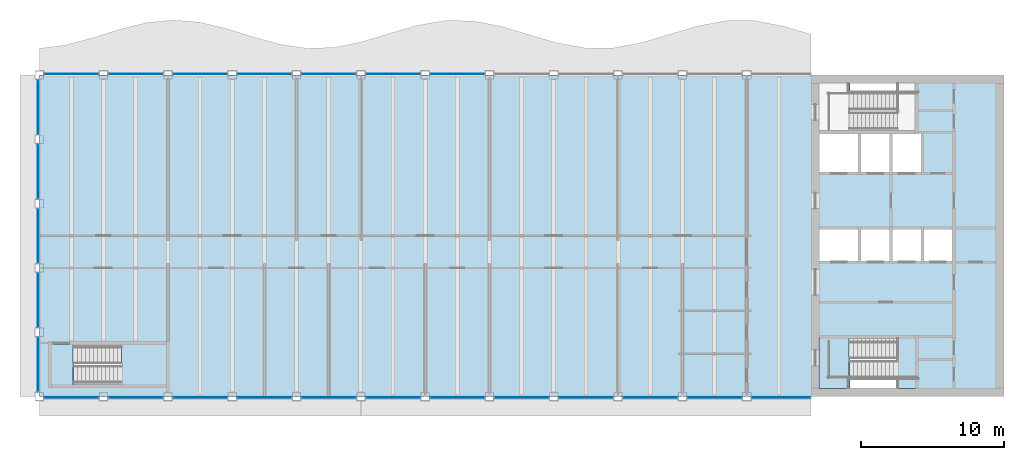
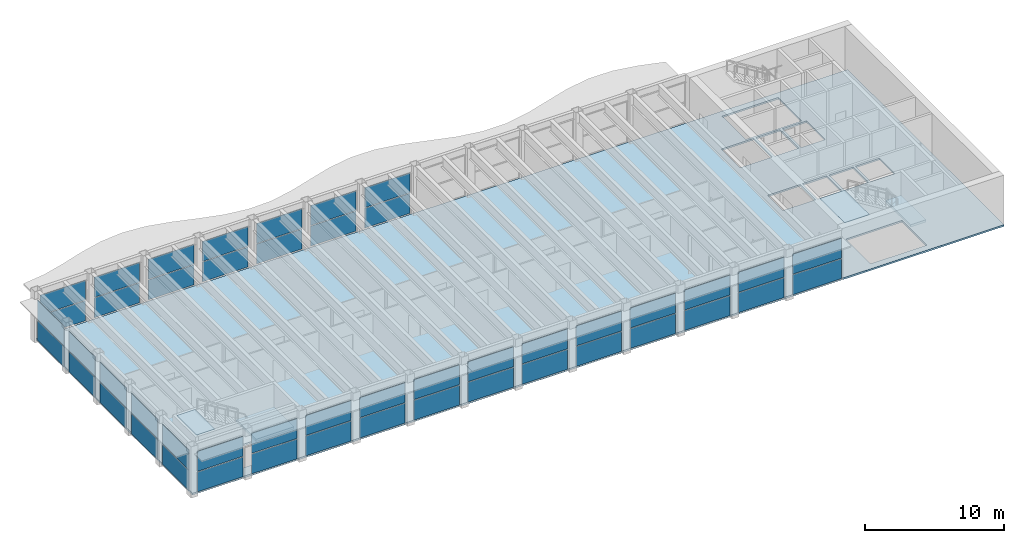
# One storey, part 7 of 14: 48 plates, 5 slabs, 26 elements without a shape of their own.
"""IFC4 building model written with IfcOpenShell, lengths in metres."""

from ifc_helpers import new_model, si_unit, direction, frame, origin, origin_2d, place, context, subcontext, project, spatial, polyline, rectangle, outline, extrude, material, layer, layer_set, type_object, element, aggregate, save


model = new_model("IFC4")

# Units and contexts
model_context = context("Model", 3, precision=1e-05, world=origin(), true_north=direction((0.0, 1.0)))
body_context = subcontext(model_context, "Body", "Model", "MODEL_VIEW")
ifc_project = project(units=[si_unit("LENGTHUNIT", "METRE"), si_unit("AREAUNIT", "SQUARE_METRE"), si_unit("VOLUMEUNIT", "CUBIC_METRE"), si_unit("PLANEANGLEUNIT", "RADIAN"), si_unit("MASSUNIT", "GRAM", prefix="KILO")], contexts=[model_context])

# Site, building, storey
site_placement = place(None, origin())
site = spatial("IfcSite", under=ifc_project, at=site_placement, CompositionType="ELEMENT")
building_placement = place(site_placement, origin())
building = spatial("IfcBuilding", under=site, at=building_placement, Name="Sennacour Bend Tower", CompositionType="ELEMENT")
storey_placement = place(building_placement, frame((0.0, 0.0, 327.5)))
storey = spatial("IfcBuildingStorey", under=building, at=storey_placement, Name="L75", CompositionType="ELEMENT", Elevation=327.5)

# Slab
ifc_material_1 = material(Name="Concrete C30/37", Category="concrete")
ifc_layer_1 = layer(ifc_material_1, 0.14990234375, Name="Concrete C30/37", Category="concrete")
ifc_layer_set_1 = layer_set([ifc_layer_1], Name="Concrete C30/37")
slab_type_1 = type_object("IfcSlabType", Name="Floor slab 150", PredefinedType="FLOOR", material=ifc_layer_set_1)
slab_1_placement = place(storey_placement, frame((0.0, 0.0, -0.14990234375)))
element("IfcSlab", 1, at=slab_1_placement, inside=storey, type_object=slab_type_1, Name="Floor slab L75-01", PredefinedType="FLOOR", context=body_context, shape_type="SweptSolid", body=[
    extrude(outline(polyline([(0.0, 22.5), (22.5, 22.5), (54.0, 22.5), (67.5, 22.5), (67.5, 0.0), (54.0, 0.0), (22.5, 0.0), (0.0, 0.0), (0.0, 22.5)]), holes=[polyline([(8.800048828125, 3.5), (2.429931640625, 3.5), (2.429931640625, 0.949951171875), (8.800048828125, 0.949951171875), (8.800048828125, 3.5)]), polyline([(61.39990234375, 4.125), (56.72998046875, 4.125), (56.72998046875, 0.550048828125), (61.39990234375, 0.550048828125), (61.39990234375, 4.125)]), polyline([(57.300048828125, 11.699951171875), (54.60009765625, 11.699951171875), (54.60009765625, 9.5), (57.300048828125, 9.5), (57.300048828125, 11.699951171875)]), polyline([(59.5, 9.5), (59.5, 11.699951171875), (57.5, 11.699951171875), (57.5, 9.5), (59.5, 9.5)]), polyline([(61.699951171875, 9.5), (61.699951171875, 11.699951171875), (59.699951171875, 11.699951171875), (59.699951171875, 9.5), (61.699951171875, 9.5)]), polyline([(63.89990234375, 11.699951171875), (61.89990234375, 11.699951171875), (61.89990234375, 9.5), (63.89990234375, 9.5), (63.89990234375, 11.699951171875)]), polyline([(57.300048828125, 18.39990234375), (54.60009765625, 18.39990234375), (54.60009765625, 15.699951171875), (57.300048828125, 15.699951171875), (57.300048828125, 18.39990234375)]), polyline([(59.5, 18.39990234375), (57.5, 18.39990234375), (57.5, 15.699951171875), (59.5, 15.699951171875), (59.5, 18.39990234375)]), polyline([(61.699951171875, 15.699951171875), (61.699951171875, 18.39990234375), (59.699951171875, 18.39990234375), (59.699951171875, 15.699951171875), (61.699951171875, 15.699951171875)]), polyline([(61.39990234375, 18.574951171875), (61.39990234375, 21.949951171875), (56.72998046875, 21.949951171875), (56.72998046875, 18.574951171875), (61.39990234375, 18.574951171875)])]), origin(), (0.0, 0.0, 1.0), 0.14990234375),
])

# Curtain wall, plates
ifc_material_2 = material(Name="Bronze anodised aluminium curtain wall with clear glass", Category="aluminium")
curtain_wall_type = type_object("IfcCurtainWallType", Name="CURTAIN WALL EXEC", PredefinedType="NOTDEFINED", material=ifc_material_2)
curtain_wall_1_placement = place(storey_placement, origin())
curtain_wall_1 = element("IfcCurtainWall", 2, at=curtain_wall_1_placement, inside=storey, type_object=curtain_wall_type, Name="Executive floor glass wall L75", PredefinedType="NOTDEFINED")
ifc_material_3 = material(Name="Clear low-emissivity glass", Category="glass")
ifc_layer_2 = layer(ifc_material_3, 0.031982421875, Name="Clear low-emissivity glass", Category="glass")
ifc_layer_set_2 = layer_set([ifc_layer_2], Name="Clear low-emissivity glass")
plate_type = type_object("IfcPlateType", Name="PNL-GLASS-IGU32", PredefinedType="CURTAIN_PANEL", material=ifc_layer_set_2)
plate_1_placement = place(storey_placement, frame((2.25, -0.074951171875, 0.06005859375), z_axis=(0.0, 0.0, 1.0), x_axis=(1.0, 0.0, 0.0)))
plate_1 = element("IfcPlate", 3, at=plate_1_placement, type_object=plate_type, Name="GW3 curtain wall panel 1.1", PredefinedType="CURTAIN_PANEL", context=body_context, shape_type="SweptSolid", body=[
    extrude(rectangle(XDim=3.780029296875, YDim=0.031982421875, at=origin_2d()), origin(), (0.0, 0.0, 1.0), 1.74609375),
])
plate_2_placement = place(storey_placement, frame((2.25, -0.074951171875, 1.865966796875), z_axis=(0.0, 0.0, 1.0), x_axis=(1.0, 0.0, 0.0)))
plate_2 = element("IfcPlate", 4, at=plate_2_placement, type_object=plate_type, Name="GW3 curtain wall panel 1.2", PredefinedType="CURTAIN_PANEL", context=body_context, shape_type="SweptSolid", body=[
    extrude(rectangle(XDim=3.780029296875, YDim=0.031982421875, at=origin_2d()), origin(), (0.0, 0.0, 1.0), 1.74609375),
])
aggregate(curtain_wall_1, [plate_1, plate_2])

curtain_wall_2_placement = place(storey_placement, origin())
curtain_wall_2 = element("IfcCurtainWall", 5, at=curtain_wall_2_placement, inside=storey, type_object=curtain_wall_type, Name="Executive floor glass wall L75", PredefinedType="NOTDEFINED")
plate_3_placement = place(storey_placement, frame((6.75, -0.074951171875, 0.06005859375), z_axis=(0.0, 0.0, 1.0), x_axis=(1.0, 0.0, 0.0)))
plate_3 = element("IfcPlate", 6, at=plate_3_placement, type_object=plate_type, Name="GW3 curtain wall panel 1.1", PredefinedType="CURTAIN_PANEL", context=body_context, shape_type="SweptSolid", body=[
    extrude(rectangle(XDim=3.780029296875, YDim=0.031982421875, at=origin_2d()), origin(), (0.0, 0.0, 1.0), 1.74609375),
])
plate_4_placement = place(storey_placement, frame((6.75, -0.074951171875, 1.865966796875), z_axis=(0.0, 0.0, 1.0), x_axis=(1.0, 0.0, 0.0)))
plate_4 = element("IfcPlate", 7, at=plate_4_placement, type_object=plate_type, Name="GW3 curtain wall panel 1.2", PredefinedType="CURTAIN_PANEL", context=body_context, shape_type="SweptSolid", body=[
    extrude(rectangle(XDim=3.780029296875, YDim=0.031982421875, at=origin_2d()), origin(), (0.0, 0.0, 1.0), 1.74609375),
])
aggregate(curtain_wall_2, [plate_3, plate_4])

curtain_wall_3_placement = place(storey_placement, origin())
curtain_wall_3 = element("IfcCurtainWall", 8, at=curtain_wall_3_placement, inside=storey, type_object=curtain_wall_type, Name="Executive floor glass wall L75", PredefinedType="NOTDEFINED")
plate_5_placement = place(storey_placement, frame((11.25, -0.074951171875, 0.06005859375), z_axis=(0.0, 0.0, 1.0), x_axis=(1.0, 0.0, 0.0)))
plate_5 = element("IfcPlate", 9, at=plate_5_placement, type_object=plate_type, Name="GW3 curtain wall panel 1.1", PredefinedType="CURTAIN_PANEL", context=body_context, shape_type="SweptSolid", body=[
    extrude(rectangle(XDim=3.780029296875, YDim=0.031982421875, at=origin_2d()), origin(), (0.0, 0.0, 1.0), 1.74609375),
])
plate_6_placement = place(storey_placement, frame((11.25, -0.074951171875, 1.865966796875), z_axis=(0.0, 0.0, 1.0), x_axis=(1.0, 0.0, 0.0)))
plate_6 = element("IfcPlate", 10, at=plate_6_placement, type_object=plate_type, Name="GW3 curtain wall panel 1.2", PredefinedType="CURTAIN_PANEL", context=body_context, shape_type="SweptSolid", body=[
    extrude(rectangle(XDim=3.780029296875, YDim=0.031982421875, at=origin_2d()), origin(), (0.0, 0.0, 1.0), 1.74609375),
])
aggregate(curtain_wall_3, [plate_5, plate_6])

curtain_wall_4_placement = place(storey_placement, origin())
curtain_wall_4 = element("IfcCurtainWall", 11, at=curtain_wall_4_placement, inside=storey, type_object=curtain_wall_type, Name="Executive floor glass wall L75", PredefinedType="NOTDEFINED")
plate_7_placement = place(storey_placement, frame((15.75, -0.074951171875, 0.06005859375), z_axis=(0.0, 0.0, 1.0), x_axis=(1.0, 0.0, 0.0)))
plate_7 = element("IfcPlate", 12, at=plate_7_placement, type_object=plate_type, Name="GW3 curtain wall panel 1.1", PredefinedType="CURTAIN_PANEL", context=body_context, shape_type="SweptSolid", body=[
    extrude(rectangle(XDim=3.780029296875, YDim=0.031982421875, at=origin_2d()), origin(), (0.0, 0.0, 1.0), 1.74609375),
])
plate_8_placement = place(storey_placement, frame((15.75, -0.074951171875, 1.865966796875), z_axis=(0.0, 0.0, 1.0), x_axis=(1.0, 0.0, 0.0)))
plate_8 = element("IfcPlate", 13, at=plate_8_placement, type_object=plate_type, Name="GW3 curtain wall panel 1.2", PredefinedType="CURTAIN_PANEL", context=body_context, shape_type="SweptSolid", body=[
    extrude(rectangle(XDim=3.780029296875, YDim=0.031982421875, at=origin_2d()), origin(), (0.0, 0.0, 1.0), 1.74609375),
])
aggregate(curtain_wall_4, [plate_7, plate_8])

curtain_wall_5_placement = place(storey_placement, origin())
curtain_wall_5 = element("IfcCurtainWall", 14, at=curtain_wall_5_placement, inside=storey, type_object=curtain_wall_type, Name="Executive floor glass wall L75", PredefinedType="NOTDEFINED")
plate_9_placement = place(storey_placement, frame((20.25, -0.074951171875, 0.06005859375), z_axis=(0.0, 0.0, 1.0), x_axis=(1.0, 0.0, 0.0)))
plate_9 = element("IfcPlate", 15, at=plate_9_placement, type_object=plate_type, Name="GW3 curtain wall panel 1.1", PredefinedType="CURTAIN_PANEL", context=body_context, shape_type="SweptSolid", body=[
    extrude(rectangle(XDim=3.780029296875, YDim=0.031982421875, at=origin_2d()), origin(), (0.0, 0.0, 1.0), 1.74609375),
])
plate_10_placement = place(storey_placement, frame((20.25, -0.074951171875, 1.865966796875), z_axis=(0.0, 0.0, 1.0), x_axis=(1.0, 0.0, 0.0)))
plate_10 = element("IfcPlate", 16, at=plate_10_placement, type_object=plate_type, Name="GW3 curtain wall panel 1.2", PredefinedType="CURTAIN_PANEL", context=body_context, shape_type="SweptSolid", body=[
    extrude(rectangle(XDim=3.780029296875, YDim=0.031982421875, at=origin_2d()), origin(), (0.0, 0.0, 1.0), 1.74609375),
])
aggregate(curtain_wall_5, [plate_9, plate_10])

curtain_wall_6_placement = place(storey_placement, origin())
curtain_wall_6 = element("IfcCurtainWall", 17, at=curtain_wall_6_placement, inside=storey, type_object=curtain_wall_type, Name="Executive floor glass wall L75", PredefinedType="NOTDEFINED")
plate_11_placement = place(storey_placement, frame((24.75, -0.074951171875, 0.06005859375), z_axis=(0.0, 0.0, 1.0), x_axis=(1.0, 0.0, 0.0)))
plate_11 = element("IfcPlate", 18, at=plate_11_placement, type_object=plate_type, Name="GW3 curtain wall panel 1.1", PredefinedType="CURTAIN_PANEL", context=body_context, shape_type="SweptSolid", body=[
    extrude(rectangle(XDim=3.780029296875, YDim=0.031982421875, at=origin_2d()), origin(), (0.0, 0.0, 1.0), 1.74609375),
])
plate_12_placement = place(storey_placement, frame((24.75, -0.074951171875, 1.865966796875), z_axis=(0.0, 0.0, 1.0), x_axis=(1.0, 0.0, 0.0)))
plate_12 = element("IfcPlate", 19, at=plate_12_placement, type_object=plate_type, Name="GW3 curtain wall panel 1.2", PredefinedType="CURTAIN_PANEL", context=body_context, shape_type="SweptSolid", body=[
    extrude(rectangle(XDim=3.780029296875, YDim=0.031982421875, at=origin_2d()), origin(), (0.0, 0.0, 1.0), 1.74609375),
])
aggregate(curtain_wall_6, [plate_11, plate_12])

curtain_wall_7_placement = place(storey_placement, origin())
curtain_wall_7 = element("IfcCurtainWall", 20, at=curtain_wall_7_placement, inside=storey, type_object=curtain_wall_type, Name="Executive floor glass wall L75", PredefinedType="NOTDEFINED")
plate_13_placement = place(storey_placement, frame((29.25, -0.074951171875, 0.06005859375), z_axis=(0.0, 0.0, 1.0), x_axis=(1.0, 0.0, 0.0)))
plate_13 = element("IfcPlate", 21, at=plate_13_placement, type_object=plate_type, Name="GW3 curtain wall panel 1.1", PredefinedType="CURTAIN_PANEL", context=body_context, shape_type="SweptSolid", body=[
    extrude(rectangle(XDim=3.780029296875, YDim=0.031982421875, at=origin_2d()), origin(), (0.0, 0.0, 1.0), 1.74609375),
])
plate_14_placement = place(storey_placement, frame((29.25, -0.074951171875, 1.865966796875), z_axis=(0.0, 0.0, 1.0), x_axis=(1.0, 0.0, 0.0)))
plate_14 = element("IfcPlate", 22, at=plate_14_placement, type_object=plate_type, Name="GW3 curtain wall panel 1.2", PredefinedType="CURTAIN_PANEL", context=body_context, shape_type="SweptSolid", body=[
    extrude(rectangle(XDim=3.780029296875, YDim=0.031982421875, at=origin_2d()), origin(), (0.0, 0.0, 1.0), 1.74609375),
])
aggregate(curtain_wall_7, [plate_13, plate_14])

curtain_wall_8_placement = place(storey_placement, origin())
curtain_wall_8 = element("IfcCurtainWall", 23, at=curtain_wall_8_placement, inside=storey, type_object=curtain_wall_type, Name="Executive floor glass wall L75", PredefinedType="NOTDEFINED")
plate_15_placement = place(storey_placement, frame((33.75, -0.074951171875, 0.06005859375), z_axis=(0.0, 0.0, 1.0), x_axis=(1.0, 0.0, 0.0)))
plate_15 = element("IfcPlate", 24, at=plate_15_placement, type_object=plate_type, Name="GW3 curtain wall panel 1.1", PredefinedType="CURTAIN_PANEL", context=body_context, shape_type="SweptSolid", body=[
    extrude(rectangle(XDim=3.780029296875, YDim=0.031982421875, at=origin_2d()), origin(), (0.0, 0.0, 1.0), 1.74609375),
])
plate_16_placement = place(storey_placement, frame((33.75, -0.074951171875, 1.865966796875), z_axis=(0.0, 0.0, 1.0), x_axis=(1.0, 0.0, 0.0)))
plate_16 = element("IfcPlate", 25, at=plate_16_placement, type_object=plate_type, Name="GW3 curtain wall panel 1.2", PredefinedType="CURTAIN_PANEL", context=body_context, shape_type="SweptSolid", body=[
    extrude(rectangle(XDim=3.780029296875, YDim=0.031982421875, at=origin_2d()), origin(), (0.0, 0.0, 1.0), 1.74609375),
])
aggregate(curtain_wall_8, [plate_15, plate_16])

curtain_wall_9_placement = place(storey_placement, origin())
curtain_wall_9 = element("IfcCurtainWall", 26, at=curtain_wall_9_placement, inside=storey, type_object=curtain_wall_type, Name="Executive floor glass wall L75", PredefinedType="NOTDEFINED")
plate_17_placement = place(storey_placement, frame((38.25, -0.074951171875, 0.06005859375), z_axis=(0.0, 0.0, 1.0), x_axis=(1.0, 0.0, 0.0)))
plate_17 = element("IfcPlate", 27, at=plate_17_placement, type_object=plate_type, Name="GW3 curtain wall panel 1.1", PredefinedType="CURTAIN_PANEL", context=body_context, shape_type="SweptSolid", body=[
    extrude(rectangle(XDim=3.780029296875, YDim=0.031982421875, at=origin_2d()), origin(), (0.0, 0.0, 1.0), 1.74609375),
])
plate_18_placement = place(storey_placement, frame((38.25, -0.074951171875, 1.865966796875), z_axis=(0.0, 0.0, 1.0), x_axis=(1.0, 0.0, 0.0)))
plate_18 = element("IfcPlate", 28, at=plate_18_placement, type_object=plate_type, Name="GW3 curtain wall panel 1.2", PredefinedType="CURTAIN_PANEL", context=body_context, shape_type="SweptSolid", body=[
    extrude(rectangle(XDim=3.780029296875, YDim=0.031982421875, at=origin_2d()), origin(), (0.0, 0.0, 1.0), 1.74609375),
])
aggregate(curtain_wall_9, [plate_17, plate_18])

curtain_wall_10_placement = place(storey_placement, origin())
curtain_wall_10 = element("IfcCurtainWall", 29, at=curtain_wall_10_placement, inside=storey, type_object=curtain_wall_type, Name="Executive floor glass wall L75", PredefinedType="NOTDEFINED")
plate_19_placement = place(storey_placement, frame((42.75, -0.074951171875, 0.06005859375), z_axis=(0.0, 0.0, 1.0), x_axis=(1.0, 0.0, 0.0)))
plate_19 = element("IfcPlate", 30, at=plate_19_placement, type_object=plate_type, Name="GW3 curtain wall panel 1.1", PredefinedType="CURTAIN_PANEL", context=body_context, shape_type="SweptSolid", body=[
    extrude(rectangle(XDim=3.780029296875, YDim=0.031982421875, at=origin_2d()), origin(), (0.0, 0.0, 1.0), 1.74609375),
])
plate_20_placement = place(storey_placement, frame((42.75, -0.074951171875, 1.865966796875), z_axis=(0.0, 0.0, 1.0), x_axis=(1.0, 0.0, 0.0)))
plate_20 = element("IfcPlate", 31, at=plate_20_placement, type_object=plate_type, Name="GW3 curtain wall panel 1.2", PredefinedType="CURTAIN_PANEL", context=body_context, shape_type="SweptSolid", body=[
    extrude(rectangle(XDim=3.780029296875, YDim=0.031982421875, at=origin_2d()), origin(), (0.0, 0.0, 1.0), 1.74609375),
])
aggregate(curtain_wall_10, [plate_19, plate_20])

curtain_wall_11_placement = place(storey_placement, origin())
curtain_wall_11 = element("IfcCurtainWall", 32, at=curtain_wall_11_placement, inside=storey, type_object=curtain_wall_type, Name="Executive floor glass wall L75", PredefinedType="NOTDEFINED")
plate_21_placement = place(storey_placement, frame((47.25, -0.074951171875, 0.06005859375), z_axis=(0.0, 0.0, 1.0), x_axis=(1.0, 0.0, 0.0)))
plate_21 = element("IfcPlate", 33, at=plate_21_placement, type_object=plate_type, Name="GW3 curtain wall panel 1.1", PredefinedType="CURTAIN_PANEL", context=body_context, shape_type="SweptSolid", body=[
    extrude(rectangle(XDim=3.780029296875, YDim=0.031982421875, at=origin_2d()), origin(), (0.0, 0.0, 1.0), 1.74609375),
])
plate_22_placement = place(storey_placement, frame((47.25, -0.074951171875, 1.865966796875), z_axis=(0.0, 0.0, 1.0), x_axis=(1.0, 0.0, 0.0)))
plate_22 = element("IfcPlate", 34, at=plate_22_placement, type_object=plate_type, Name="GW3 curtain wall panel 1.2", PredefinedType="CURTAIN_PANEL", context=body_context, shape_type="SweptSolid", body=[
    extrude(rectangle(XDim=3.780029296875, YDim=0.031982421875, at=origin_2d()), origin(), (0.0, 0.0, 1.0), 1.74609375),
])
aggregate(curtain_wall_11, [plate_21, plate_22])

curtain_wall_12_placement = place(storey_placement, origin())
curtain_wall_12 = element("IfcCurtainWall", 35, at=curtain_wall_12_placement, inside=storey, type_object=curtain_wall_type, Name="Executive floor glass wall L75", PredefinedType="NOTDEFINED")
plate_23_placement = place(storey_placement, frame((51.89990234375, -0.074951171875, 0.06005859375), z_axis=(0.0, 0.0, 1.0), x_axis=(1.0, 0.0, 0.0)))
plate_23 = element("IfcPlate", 36, at=plate_23_placement, type_object=plate_type, Name="GW3 curtain wall panel 1.1", PredefinedType="CURTAIN_PANEL", context=body_context, shape_type="SweptSolid", body=[
    extrude(rectangle(XDim=4.080078125, YDim=0.031982421875, at=origin_2d()), origin(), (0.0, 0.0, 1.0), 1.74609375),
])
plate_24_placement = place(storey_placement, frame((51.89990234375, -0.074951171875, 1.865966796875), z_axis=(0.0, 0.0, 1.0), x_axis=(1.0, 0.0, 0.0)))
plate_24 = element("IfcPlate", 37, at=plate_24_placement, type_object=plate_type, Name="GW3 curtain wall panel 1.2", PredefinedType="CURTAIN_PANEL", context=body_context, shape_type="SweptSolid", body=[
    extrude(rectangle(XDim=4.080078125, YDim=0.031982421875, at=origin_2d()), origin(), (0.0, 0.0, 1.0), 1.74609375),
])
aggregate(curtain_wall_12, [plate_23, plate_24])

curtain_wall_13_placement = place(storey_placement, origin())
curtain_wall_13 = element("IfcCurtainWall", 38, at=curtain_wall_13_placement, inside=storey, type_object=curtain_wall_type, Name="Executive floor glass wall L75", PredefinedType="NOTDEFINED")
plate_25_placement = place(storey_placement, frame((29.25, 22.574951171875, 0.06005859375), z_axis=(0.0, 0.0, 1.0), x_axis=(-1.0, 0.0, 0.0)))
plate_25 = element("IfcPlate", 39, at=plate_25_placement, type_object=plate_type, Name="GW3 curtain wall panel 1.1", PredefinedType="CURTAIN_PANEL", context=body_context, shape_type="SweptSolid", body=[
    extrude(rectangle(XDim=3.780029296875, YDim=0.031982421875, at=origin_2d()), origin(), (0.0, 0.0, 1.0), 1.74609375),
])
plate_26_placement = place(storey_placement, frame((29.25, 22.574951171875, 1.865966796875), z_axis=(0.0, 0.0, 1.0), x_axis=(-1.0, 0.0, 0.0)))
plate_26 = element("IfcPlate", 40, at=plate_26_placement, type_object=plate_type, Name="GW3 curtain wall panel 1.2", PredefinedType="CURTAIN_PANEL", context=body_context, shape_type="SweptSolid", body=[
    extrude(rectangle(XDim=3.780029296875, YDim=0.031982421875, at=origin_2d()), origin(), (0.0, 0.0, 1.0), 1.74609375),
])
aggregate(curtain_wall_13, [plate_25, plate_26])

curtain_wall_14_placement = place(storey_placement, origin())
curtain_wall_14 = element("IfcCurtainWall", 41, at=curtain_wall_14_placement, inside=storey, type_object=curtain_wall_type, Name="Executive floor glass wall L75", PredefinedType="NOTDEFINED")
plate_27_placement = place(storey_placement, frame((24.75, 22.574951171875, 0.06005859375), z_axis=(0.0, 0.0, 1.0), x_axis=(-1.0, 0.0, 0.0)))
plate_27 = element("IfcPlate", 42, at=plate_27_placement, type_object=plate_type, Name="GW3 curtain wall panel 1.1", PredefinedType="CURTAIN_PANEL", context=body_context, shape_type="SweptSolid", body=[
    extrude(rectangle(XDim=3.780029296875, YDim=0.031982421875, at=origin_2d()), origin(), (0.0, 0.0, 1.0), 1.74609375),
])
plate_28_placement = place(storey_placement, frame((24.75, 22.574951171875, 1.865966796875), z_axis=(0.0, 0.0, 1.0), x_axis=(-1.0, 0.0, 0.0)))
plate_28 = element("IfcPlate", 43, at=plate_28_placement, type_object=plate_type, Name="GW3 curtain wall panel 1.2", PredefinedType="CURTAIN_PANEL", context=body_context, shape_type="SweptSolid", body=[
    extrude(rectangle(XDim=3.780029296875, YDim=0.031982421875, at=origin_2d()), origin(), (0.0, 0.0, 1.0), 1.74609375),
])
aggregate(curtain_wall_14, [plate_27, plate_28])

curtain_wall_15_placement = place(storey_placement, origin())
curtain_wall_15 = element("IfcCurtainWall", 44, at=curtain_wall_15_placement, inside=storey, type_object=curtain_wall_type, Name="Executive floor glass wall L75", PredefinedType="NOTDEFINED")
plate_29_placement = place(storey_placement, frame((20.25, 22.574951171875, 0.06005859375), z_axis=(0.0, 0.0, 1.0), x_axis=(-1.0, 0.0, 0.0)))
plate_29 = element("IfcPlate", 45, at=plate_29_placement, type_object=plate_type, Name="GW3 curtain wall panel 1.1", PredefinedType="CURTAIN_PANEL", context=body_context, shape_type="SweptSolid", body=[
    extrude(rectangle(XDim=3.780029296875, YDim=0.031982421875, at=origin_2d()), origin(), (0.0, 0.0, 1.0), 1.74609375),
])
plate_30_placement = place(storey_placement, frame((20.25, 22.574951171875, 1.865966796875), z_axis=(0.0, 0.0, 1.0), x_axis=(-1.0, 0.0, 0.0)))
plate_30 = element("IfcPlate", 46, at=plate_30_placement, type_object=plate_type, Name="GW3 curtain wall panel 1.2", PredefinedType="CURTAIN_PANEL", context=body_context, shape_type="SweptSolid", body=[
    extrude(rectangle(XDim=3.780029296875, YDim=0.031982421875, at=origin_2d()), origin(), (0.0, 0.0, 1.0), 1.74609375),
])
aggregate(curtain_wall_15, [plate_29, plate_30])

curtain_wall_16_placement = place(storey_placement, origin())
curtain_wall_16 = element("IfcCurtainWall", 47, at=curtain_wall_16_placement, inside=storey, type_object=curtain_wall_type, Name="Executive floor glass wall L75", PredefinedType="NOTDEFINED")
plate_31_placement = place(storey_placement, frame((15.75, 22.574951171875, 0.06005859375), z_axis=(0.0, 0.0, 1.0), x_axis=(-1.0, 0.0, 0.0)))
plate_31 = element("IfcPlate", 48, at=plate_31_placement, type_object=plate_type, Name="GW3 curtain wall panel 1.1", PredefinedType="CURTAIN_PANEL", context=body_context, shape_type="SweptSolid", body=[
    extrude(rectangle(XDim=3.780029296875, YDim=0.031982421875, at=origin_2d()), origin(), (0.0, 0.0, 1.0), 1.74609375),
])
plate_32_placement = place(storey_placement, frame((15.75, 22.574951171875, 1.865966796875), z_axis=(0.0, 0.0, 1.0), x_axis=(-1.0, 0.0, 0.0)))
plate_32 = element("IfcPlate", 49, at=plate_32_placement, type_object=plate_type, Name="GW3 curtain wall panel 1.2", PredefinedType="CURTAIN_PANEL", context=body_context, shape_type="SweptSolid", body=[
    extrude(rectangle(XDim=3.780029296875, YDim=0.031982421875, at=origin_2d()), origin(), (0.0, 0.0, 1.0), 1.74609375),
])
aggregate(curtain_wall_16, [plate_31, plate_32])

curtain_wall_17_placement = place(storey_placement, origin())
curtain_wall_17 = element("IfcCurtainWall", 50, at=curtain_wall_17_placement, inside=storey, type_object=curtain_wall_type, Name="Executive floor glass wall L75", PredefinedType="NOTDEFINED")
plate_33_placement = place(storey_placement, frame((11.25, 22.574951171875, 0.06005859375), z_axis=(0.0, 0.0, 1.0), x_axis=(-1.0, 0.0, 0.0)))
plate_33 = element("IfcPlate", 51, at=plate_33_placement, type_object=plate_type, Name="GW3 curtain wall panel 1.1", PredefinedType="CURTAIN_PANEL", context=body_context, shape_type="SweptSolid", body=[
    extrude(rectangle(XDim=3.780029296875, YDim=0.031982421875, at=origin_2d()), origin(), (0.0, 0.0, 1.0), 1.74609375),
])
plate_34_placement = place(storey_placement, frame((11.25, 22.574951171875, 1.865966796875), z_axis=(0.0, 0.0, 1.0), x_axis=(-1.0, 0.0, 0.0)))
plate_34 = element("IfcPlate", 52, at=plate_34_placement, type_object=plate_type, Name="GW3 curtain wall panel 1.2", PredefinedType="CURTAIN_PANEL", context=body_context, shape_type="SweptSolid", body=[
    extrude(rectangle(XDim=3.780029296875, YDim=0.031982421875, at=origin_2d()), origin(), (0.0, 0.0, 1.0), 1.74609375),
])
aggregate(curtain_wall_17, [plate_33, plate_34])

curtain_wall_18_placement = place(storey_placement, origin())
curtain_wall_18 = element("IfcCurtainWall", 53, at=curtain_wall_18_placement, inside=storey, type_object=curtain_wall_type, Name="Executive floor glass wall L75", PredefinedType="NOTDEFINED")
plate_35_placement = place(storey_placement, frame((6.75, 22.574951171875, 0.06005859375), z_axis=(0.0, 0.0, 1.0), x_axis=(-1.0, 0.0, 0.0)))
plate_35 = element("IfcPlate", 54, at=plate_35_placement, type_object=plate_type, Name="GW3 curtain wall panel 1.1", PredefinedType="CURTAIN_PANEL", context=body_context, shape_type="SweptSolid", body=[
    extrude(rectangle(XDim=3.780029296875, YDim=0.031982421875, at=origin_2d()), origin(), (0.0, 0.0, 1.0), 1.74609375),
])
plate_36_placement = place(storey_placement, frame((6.75, 22.574951171875, 1.865966796875), z_axis=(0.0, 0.0, 1.0), x_axis=(-1.0, 0.0, 0.0)))
plate_36 = element("IfcPlate", 55, at=plate_36_placement, type_object=plate_type, Name="GW3 curtain wall panel 1.2", PredefinedType="CURTAIN_PANEL", context=body_context, shape_type="SweptSolid", body=[
    extrude(rectangle(XDim=3.780029296875, YDim=0.031982421875, at=origin_2d()), origin(), (0.0, 0.0, 1.0), 1.74609375),
])
aggregate(curtain_wall_18, [plate_35, plate_36])

curtain_wall_19_placement = place(storey_placement, origin())
curtain_wall_19 = element("IfcCurtainWall", 56, at=curtain_wall_19_placement, inside=storey, type_object=curtain_wall_type, Name="Executive floor glass wall L75", PredefinedType="NOTDEFINED")
plate_37_placement = place(storey_placement, frame((2.25, 22.574951171875, 0.06005859375), z_axis=(0.0, 0.0, 1.0), x_axis=(-1.0, 0.0, 0.0)))
plate_37 = element("IfcPlate", 57, at=plate_37_placement, type_object=plate_type, Name="GW3 curtain wall panel 1.1", PredefinedType="CURTAIN_PANEL", context=body_context, shape_type="SweptSolid", body=[
    extrude(rectangle(XDim=3.780029296875, YDim=0.031982421875, at=origin_2d()), origin(), (0.0, 0.0, 1.0), 1.74609375),
])
plate_38_placement = place(storey_placement, frame((2.25, 22.574951171875, 1.865966796875), z_axis=(0.0, 0.0, 1.0), x_axis=(-1.0, 0.0, 0.0)))
plate_38 = element("IfcPlate", 58, at=plate_38_placement, type_object=plate_type, Name="GW3 curtain wall panel 1.2", PredefinedType="CURTAIN_PANEL", context=body_context, shape_type="SweptSolid", body=[
    extrude(rectangle(XDim=3.780029296875, YDim=0.031982421875, at=origin_2d()), origin(), (0.0, 0.0, 1.0), 1.74609375),
])
aggregate(curtain_wall_19, [plate_37, plate_38])

curtain_wall_20_placement = place(storey_placement, origin())
curtain_wall_20 = element("IfcCurtainWall", 59, at=curtain_wall_20_placement, inside=storey, type_object=curtain_wall_type, Name="Executive floor glass wall L75", PredefinedType="NOTDEFINED")
plate_39_placement = place(storey_placement, frame((-0.074951171875, 20.25, 0.06005859375), z_axis=(0.0, 0.0, 1.0), x_axis=(0.0, -1.0, 0.0)))
plate_39 = element("IfcPlate", 60, at=plate_39_placement, type_object=plate_type, Name="GW3 curtain wall panel 1.1", PredefinedType="CURTAIN_PANEL", context=body_context, shape_type="SweptSolid", body=[
    extrude(rectangle(XDim=3.780029296875, YDim=0.031982421875, at=origin_2d()), origin(), (0.0, 0.0, 1.0), 1.74609375),
])
plate_40_placement = place(storey_placement, frame((-0.074951171875, 20.25, 1.865966796875), z_axis=(0.0, 0.0, 1.0), x_axis=(0.0, -1.0, 0.0)))
plate_40 = element("IfcPlate", 61, at=plate_40_placement, type_object=plate_type, Name="GW3 curtain wall panel 1.2", PredefinedType="CURTAIN_PANEL", context=body_context, shape_type="SweptSolid", body=[
    extrude(rectangle(XDim=3.780029296875, YDim=0.031982421875, at=origin_2d()), origin(), (0.0, 0.0, 1.0), 1.74609375),
])
aggregate(curtain_wall_20, [plate_39, plate_40])

curtain_wall_21_placement = place(storey_placement, origin())
curtain_wall_21 = element("IfcCurtainWall", 62, at=curtain_wall_21_placement, inside=storey, type_object=curtain_wall_type, Name="Executive floor glass wall L75", PredefinedType="NOTDEFINED")
plate_41_placement = place(storey_placement, frame((-0.074951171875, 15.75, 0.06005859375), z_axis=(0.0, 0.0, 1.0), x_axis=(0.0, -1.0, 0.0)))
plate_41 = element("IfcPlate", 63, at=plate_41_placement, type_object=plate_type, Name="GW3 curtain wall panel 1.1", PredefinedType="CURTAIN_PANEL", context=body_context, shape_type="SweptSolid", body=[
    extrude(rectangle(XDim=3.780029296875, YDim=0.031982421875, at=origin_2d()), origin(), (0.0, 0.0, 1.0), 1.74609375),
])
plate_42_placement = place(storey_placement, frame((-0.074951171875, 15.75, 1.865966796875), z_axis=(0.0, 0.0, 1.0), x_axis=(0.0, -1.0, 0.0)))
plate_42 = element("IfcPlate", 64, at=plate_42_placement, type_object=plate_type, Name="GW3 curtain wall panel 1.2", PredefinedType="CURTAIN_PANEL", context=body_context, shape_type="SweptSolid", body=[
    extrude(rectangle(XDim=3.780029296875, YDim=0.031982421875, at=origin_2d()), origin(), (0.0, 0.0, 1.0), 1.74609375),
])
aggregate(curtain_wall_21, [plate_41, plate_42])

curtain_wall_22_placement = place(storey_placement, origin())
curtain_wall_22 = element("IfcCurtainWall", 65, at=curtain_wall_22_placement, inside=storey, type_object=curtain_wall_type, Name="Executive floor glass wall L75", PredefinedType="NOTDEFINED")
plate_43_placement = place(storey_placement, frame((-0.074951171875, 11.25, 0.06005859375), z_axis=(0.0, 0.0, 1.0), x_axis=(0.0, -1.0, 0.0)))
plate_43 = element("IfcPlate", 66, at=plate_43_placement, type_object=plate_type, Name="GW3 curtain wall panel 1.1", PredefinedType="CURTAIN_PANEL", context=body_context, shape_type="SweptSolid", body=[
    extrude(rectangle(XDim=3.780029296875, YDim=0.031982421875, at=origin_2d()), origin(), (0.0, 0.0, 1.0), 1.74609375),
])
plate_44_placement = place(storey_placement, frame((-0.074951171875, 11.25, 1.865966796875), z_axis=(0.0, 0.0, 1.0), x_axis=(0.0, -1.0, 0.0)))
plate_44 = element("IfcPlate", 67, at=plate_44_placement, type_object=plate_type, Name="GW3 curtain wall panel 1.2", PredefinedType="CURTAIN_PANEL", context=body_context, shape_type="SweptSolid", body=[
    extrude(rectangle(XDim=3.780029296875, YDim=0.031982421875, at=origin_2d()), origin(), (0.0, 0.0, 1.0), 1.74609375),
])
aggregate(curtain_wall_22, [plate_43, plate_44])

curtain_wall_23_placement = place(storey_placement, origin())
curtain_wall_23 = element("IfcCurtainWall", 68, at=curtain_wall_23_placement, inside=storey, type_object=curtain_wall_type, Name="Executive floor glass wall L75", PredefinedType="NOTDEFINED")
plate_45_placement = place(storey_placement, frame((-0.074951171875, 6.75, 0.06005859375), z_axis=(0.0, 0.0, 1.0), x_axis=(0.0, -1.0, 0.0)))
plate_45 = element("IfcPlate", 69, at=plate_45_placement, type_object=plate_type, Name="GW3 curtain wall panel 1.1", PredefinedType="CURTAIN_PANEL", context=body_context, shape_type="SweptSolid", body=[
    extrude(rectangle(XDim=3.780029296875, YDim=0.031982421875, at=origin_2d()), origin(), (0.0, 0.0, 1.0), 1.74609375),
])
plate_46_placement = place(storey_placement, frame((-0.074951171875, 6.75, 1.865966796875), z_axis=(0.0, 0.0, 1.0), x_axis=(0.0, -1.0, 0.0)))
plate_46 = element("IfcPlate", 70, at=plate_46_placement, type_object=plate_type, Name="GW3 curtain wall panel 1.2", PredefinedType="CURTAIN_PANEL", context=body_context, shape_type="SweptSolid", body=[
    extrude(rectangle(XDim=3.780029296875, YDim=0.031982421875, at=origin_2d()), origin(), (0.0, 0.0, 1.0), 1.74609375),
])
aggregate(curtain_wall_23, [plate_45, plate_46])

curtain_wall_24_placement = place(storey_placement, origin())
curtain_wall_24 = element("IfcCurtainWall", 71, at=curtain_wall_24_placement, inside=storey, type_object=curtain_wall_type, Name="Executive floor glass wall L75", PredefinedType="NOTDEFINED")
plate_47_placement = place(storey_placement, frame((-0.074951171875, 2.25, 0.06005859375), z_axis=(0.0, 0.0, 1.0), x_axis=(0.0, -1.0, 0.0)))
plate_47 = element("IfcPlate", 72, at=plate_47_placement, type_object=plate_type, Name="GW3 curtain wall panel 1.1", PredefinedType="CURTAIN_PANEL", context=body_context, shape_type="SweptSolid", body=[
    extrude(rectangle(XDim=3.780029296875, YDim=0.031982421875, at=origin_2d()), origin(), (0.0, 0.0, 1.0), 1.74609375),
])
plate_48_placement = place(storey_placement, frame((-0.074951171875, 2.25, 1.865966796875), z_axis=(0.0, 0.0, 1.0), x_axis=(0.0, -1.0, 0.0)))
plate_48 = element("IfcPlate", 73, at=plate_48_placement, type_object=plate_type, Name="GW3 curtain wall panel 1.2", PredefinedType="CURTAIN_PANEL", context=body_context, shape_type="SweptSolid", body=[
    extrude(rectangle(XDim=3.780029296875, YDim=0.031982421875, at=origin_2d()), origin(), (0.0, 0.0, 1.0), 1.74609375),
])
aggregate(curtain_wall_24, [plate_47, plate_48])

# Slabs
ifc_material_4 = material(Name="Concrete C40/50", Category="concrete")
ifc_layer_3 = layer(ifc_material_4, 0.034912109375, Name="Concrete C40/50", Category="concrete")
ifc_layer_set_3 = layer_set([ifc_layer_3], Name="Concrete C40/50")
slab_type_2 = type_object("IfcSlabType", Name="Stair arrival nib 35", PredefinedType="FLOOR", material=ifc_layer_set_3)
slab_2_placement = place(storey_placement, frame((0.0, 0.0, 4.315185546875)))
element("IfcSlab", 74, at=slab_2_placement, inside=storey, type_object=slab_type_2, Name="L75 SA1 stair arrival nib", PredefinedType="FLOOR", context=body_context, shape_type="SweptSolid", body=[
    extrude(outline(polyline([(56.64208984375, 4.125), (54.550048828125, 4.125), (54.550048828125, 0.550048828125), (56.64208984375, 0.550048828125), (56.64208984375, 4.125)])), origin(), (0.0, 0.0, 1.0), 0.034912109375),
])
slab_3_placement = place(storey_placement, frame((0.0, 0.0, 4.315185546875)))
element("IfcSlab", 75, at=slab_3_placement, inside=storey, type_object=slab_type_2, Name="L75 SK1 stair arrival nib", PredefinedType="FLOOR", context=body_context, shape_type="SweptSolid", body=[
    extrude(outline(polyline([(2.342041015625, 3.675048828125), (0.800048828125, 3.675048828125), (0.800048828125, 0.800048828125), (2.342041015625, 0.800048828125), (2.342041015625, 3.675048828125)])), origin(), (0.0, 0.0, 1.0), 0.034912109375),
])

# Stair, slab
stair_type = type_object("IfcStairType", Name="ST-DOGLEG", PredefinedType="HALF_TURN_STAIR", material=ifc_material_4)
stair_1_placement = place(storey_placement, origin())
stair_1 = element("IfcStair", 76, at=stair_1_placement, inside=storey, type_object=stair_type, Name="L75 Exit stair A1", PredefinedType="HALF_TURN_STAIR")
ifc_layer_4 = layer(ifc_material_4, 0.199951171875, Name="Concrete C40/50", Category="concrete")
ifc_layer_set_4 = layer_set([ifc_layer_4], Name="Concrete C40/50")
slab_type_3 = type_object("IfcSlabType", Name="Stair landing 200", PredefinedType="LANDING", material=ifc_layer_set_4)
slab_4_placement = place(storey_placement, frame((0.0, 0.0, 2.050048828125)))
slab_4 = element("IfcSlab", 77, at=slab_4_placement, type_object=slab_type_3, Name="SA1 landing 1", PredefinedType="LANDING", context=body_context, shape_type="SweptSolid", body=[
    extrude(outline(polyline([(60.06005859375, 0.550048828125), (61.324951171875, 0.550048828125), (61.324951171875, 4.125), (60.06005859375, 4.125), (60.06005859375, 0.550048828125)])), origin(), (0.0, 0.0, 1.0), 0.199951171875),
])
aggregate(stair_1, [slab_4])

stair_2_placement = place(storey_placement, origin())
stair_2 = element("IfcStair", 78, at=stair_2_placement, inside=storey, type_object=stair_type, Name="L75 Exit stair K1", PredefinedType="HALF_TURN_STAIR")
slab_5_placement = place(storey_placement, frame((0.0, 0.0, 2.050048828125)))
slab_5 = element("IfcSlab", 79, at=slab_5_placement, type_object=slab_type_3, Name="SK1 landing 1", PredefinedType="LANDING", context=body_context, shape_type="SweptSolid", body=[
    extrude(outline(polyline([(5.760009765625, 0.800048828125), (8.925048828125, 0.800048828125), (8.925048828125, 3.675048828125), (5.760009765625, 3.675048828125), (5.760009765625, 0.800048828125)])), origin(), (0.0, 0.0, 1.0), 0.199951171875),
])
aggregate(stair_2, [slab_5])

save(model, "model.ifc")
